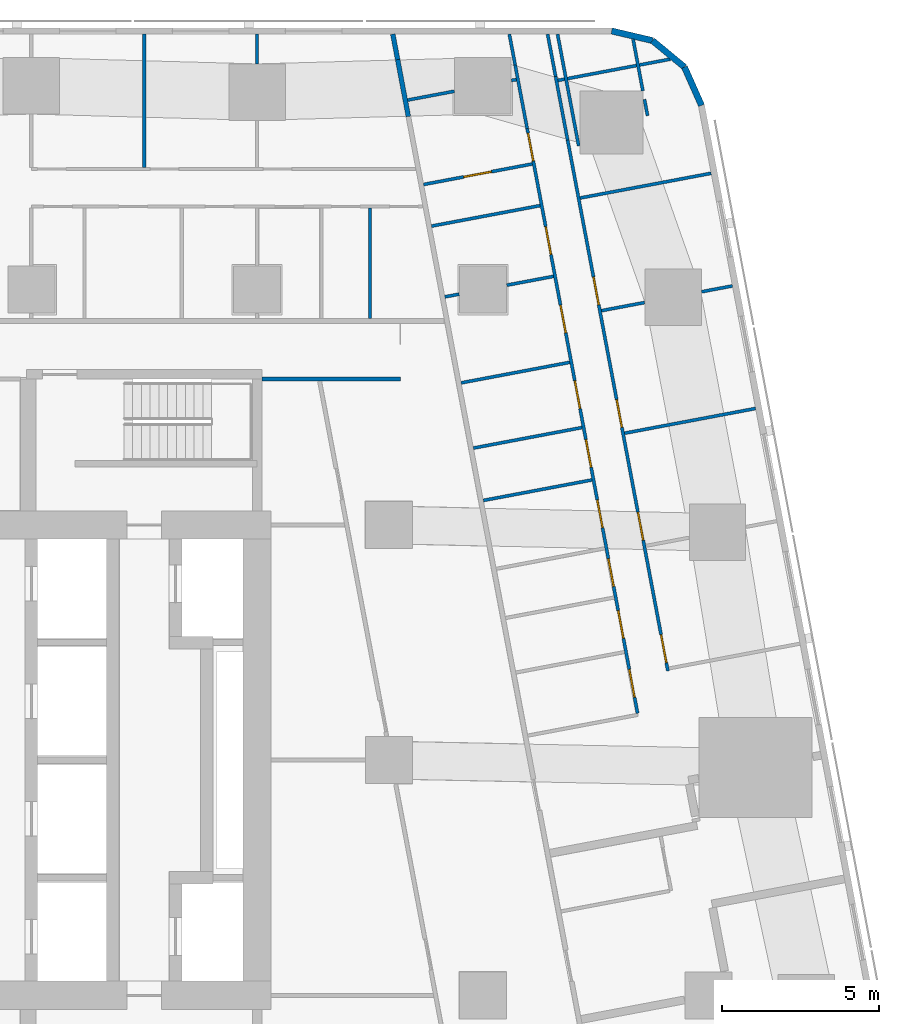
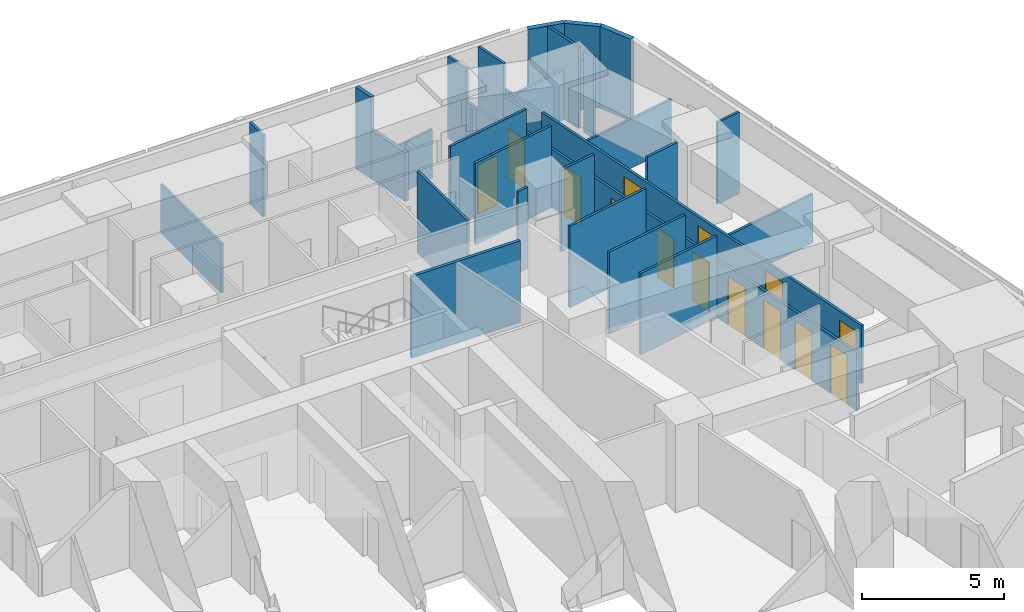
# One storey, part 11 of 15: 32 walls, 14 doors, 14 openings.
"""IFC4 building model written with IfcOpenShell, lengths in metres."""

from ifc_helpers import new_model, si_unit, direction, frame, frame_2d, origin, place, context, subcontext, project, spatial, rectangle, extrude, material, layer, layer_set, type_object, element, fill, save


model = new_model("IFC4")

# Units and contexts
model_context = context("Model", 3, precision=1e-05, world=origin(), true_north=direction((0.0, 1.0)))
body_context = subcontext(model_context, "Body", "Model", "MODEL_VIEW")
ifc_project = project(units=[si_unit("LENGTHUNIT", "METRE"), si_unit("AREAUNIT", "SQUARE_METRE"), si_unit("VOLUMEUNIT", "CUBIC_METRE"), si_unit("PLANEANGLEUNIT", "RADIAN"), si_unit("MASSUNIT", "GRAM", prefix="KILO")], contexts=[model_context])

# Site, building, storey
site_placement = place(None, origin())
site = spatial("IfcSite", under=ifc_project, at=site_placement, CompositionType="ELEMENT")
building_placement = place(site_placement, origin())
building = spatial("IfcBuilding", under=site, at=building_placement, Name="Sheger Commons Tower", CompositionType="ELEMENT")
storey_placement = place(building_placement, frame((0.0, 0.0, 165.800048828125)))
storey = spatial("IfcBuildingStorey", under=building, at=storey_placement, Name="L42", CompositionType="ELEMENT", Elevation=165.800048828125)

# Walls
ifc_material_1 = material(Name="Hollow concrete block masonry, skimmed both sides", Category="masonry")
ifc_layer_1 = layer(ifc_material_1, 0.14990234375)
ifc_layer_set_1 = layer_set([ifc_layer_1], Name="CORRIDOR WALL 150")
wall_type_1 = type_object("IfcWallType", Name="CORRIDOR WALL 150", PredefinedType="SOLIDWALL", material=ifc_layer_set_1)
wall_1_placement = place(storey_placement, frame((33.126953125, 45.64990234375, 0.0), z_axis=(0.0, 0.0, 1.0), x_axis=(0.186176514576, -0.982516313056, 0.0)))
element("IfcWall", 1, at=wall_1_placement, inside=storey, type_object=wall_type_1, Name="Corridor wall L42", PredefinedType="SOLIDWALL", context=body_context, shape_type="SweptSolid", body=[
    extrude(rectangle(XDim=0.827392578125, YDim=0.14990234375, at=frame_2d((0.41357421875, 0.0))), origin(), (0.0, 0.0, 1.0), 3.5),
])
wall_2_placement = place(storey_placement, frame((33.281005859375, 44.8369140625, 0.0), z_axis=(0.0, 0.0, 1.0), x_axis=(0.185198323004, -0.982701165745, 0.0)))
element("IfcWall", 2, at=wall_2_placement, inside=storey, type_object=wall_type_1, Name="Corridor wall L42", PredefinedType="SOLIDWALL", context=body_context, shape_type="SweptSolid", body=[
    extrude(rectangle(XDim=1.846923828125, YDim=0.14990234375, at=frame_2d((0.92333984375, 0.0))), origin(), (0.0, 0.0, 1.0), 2.099853515625),
])
ifc_material_2 = material(Name="Rendered concrete block masonry, dark grey", Category="masonry")
ifc_layer_2 = layer(ifc_material_2, 0.199951171875)
ifc_layer_set_2 = layer_set([ifc_layer_2], Name="FACADE WALL 200")
wall_type_2 = type_object("IfcWallType", Name="FACADE WALL 200", PredefinedType="SOLIDWALL", material=ifc_layer_set_2)
wall_3_placement = place(storey_placement, frame((42.969970703125, 43.376953125, 0.0), z_axis=(0.0, 0.0, 1.0), x_axis=(-0.406002956633, 0.913871762998, 0.0)))
element("IfcWall", 3, at=wall_3_placement, inside=storey, type_object=wall_type_2, Name="Facade wall L42", PredefinedType="SOLIDWALL", context=body_context, shape_type="SweptSolid", body=[
    extrude(rectangle(XDim=1.33740234375, YDim=0.199951171875, at=frame_2d((0.668701171875, 0.0))), origin(), (0.0, 0.0, 1.0), 3.5),
])
wall_4_placement = place(storey_placement, frame((42.427001953125, 44.59912109375, 0.0), z_axis=(0.0, 0.0, 1.0), x_axis=(-0.770091412544, 0.637933551655, 0.0)))
element("IfcWall", 4, at=wall_4_placement, inside=storey, type_object=wall_type_2, Name="Facade wall L42", PredefinedType="SOLIDWALL", context=body_context, shape_type="SweptSolid", body=[
    extrude(rectangle(XDim=1.324462890625, YDim=0.199951171875, at=frame_2d((0.662109375, 0.0))), origin(), (0.0, 0.0, 1.0), 3.5),
])
wall_5_placement = place(storey_placement, frame((41.406982421875, 45.444091796875, 0.0), z_axis=(0.0, 0.0, 1.0), x_axis=(-0.973453091607, 0.228886606077, 0.0)))
element("IfcWall", 5, at=wall_5_placement, inside=storey, type_object=wall_type_2, Name="Facade wall L42", PredefinedType="SOLIDWALL", context=body_context, shape_type="SweptSolid", body=[
    extrude(rectangle(XDim=1.33642578125, YDim=0.199951171875, at=frame_2d((0.668212890625, 0.0))), origin(), (0.0, 0.0, 1.0), 3.5),
])
ifc_material_3 = material(Name="Gypsum board on steel studs", Category="steel")
ifc_layer_3 = layer(ifc_material_3, 0.10009765625)
ifc_layer_set_3 = layer_set([ifc_layer_3], Name="PARTITION 100")
wall_type_3 = type_object("IfcWallType", Name="PARTITION 100", PredefinedType="PARTITIONING", material=ifc_layer_set_3)
wall_6_placement = place(storey_placement, frame((39.053955078125, 42.0849609375, 0.0), z_axis=(0.0, 0.0, 1.0), x_axis=(-0.185791584218, 0.982589175207, 0.0)))
element("IfcWall", 6, at=wall_6_placement, inside=storey, type_object=wall_type_3, Name="Partition L42", PredefinedType="PARTITIONING", context=body_context, shape_type="SweptSolid", body=[
    extrude(rectangle(XDim=3.628173828125, YDim=0.10009765625, at=frame_2d((1.81396484375, 0.0))), origin(), (0.0, 0.0, 1.0), 2.099853515625),
])
wall_7_placement = place(storey_placement, frame((40.7890625, 45.487060546875, 0.0), z_axis=(0.0, 0.0, 1.0), x_axis=(0.185572395193, -0.982630594955, 0.0)))
element("IfcWall", 7, at=wall_7_placement, inside=storey, type_object=wall_type_3, Name="Partition L42", PredefinedType="PARTITIONING", context=body_context, shape_type="SweptSolid", body=[
    extrude(rectangle(XDim=1.676025390625, YDim=0.10009765625, at=frame_2d((0.837890625, 0.0))), origin(), (0.0, 0.0, 1.0), 3.5),
])
wall_8_placement = place(storey_placement, frame((41.15087890625, 43.569091796875, 0.0), z_axis=(0.0, 0.0, 1.0), x_axis=(0.186563073924, -0.982442985342, 0.0)))
element("IfcWall", 8, at=wall_8_placement, inside=storey, type_object=wall_type_3, Name="Partition L42", PredefinedType="PARTITIONING", context=body_context, shape_type="SweptSolid", body=[
    extrude(rectangle(XDim=0.53125, YDim=0.10009765625, at=frame_2d((0.265625, 0.0))), origin(), (0.0, 0.0, 1.0), 3.5),
])
wall_9_placement = place(storey_placement, frame((38.06298828125, 45.64990234375, 0.0), z_axis=(0.0, 0.0, 1.0), x_axis=(0.185456359766, -0.982652501458, 0.0)))
element("IfcWall", 9, at=wall_9_placement, inside=storey, type_object=wall_type_3, Name="Partition L42", PredefinedType="PARTITIONING", context=body_context, shape_type="SweptSolid", body=[
    extrude(rectangle(XDim=1.375732421875, YDim=0.10009765625, at=frame_2d((0.68798828125, 0.0))), origin(), (0.0, 0.0, 1.0), 3.5),
])
wall_10_placement = place(storey_placement, frame((38.318115234375, 44.298095703125, 0.0), z_axis=(0.0, 0.0, 1.0), x_axis=(0.185481135188, -0.982647825261, 0.0)))
element("IfcWall", 10, at=wall_10_placement, inside=storey, type_object=wall_type_3, Name="Partition L42", PredefinedType="PARTITIONING", context=body_context, shape_type="SweptSolid", body=[
    extrude(rectangle(XDim=2.06396484375, YDim=0.10009765625, at=frame_2d((1.031982421875, 0.0))), origin(), (0.0, 0.0, 1.0), 2.099853515625),
])

# Wall, openings, doors
wall_11_placement = place(storey_placement, frame((38.700927734375, 42.27001953125, 0.0), z_axis=(0.0, 0.0, 1.0), x_axis=(0.185644634212, -0.982616949675, 0.0)))
wall_11 = element("IfcWall", 11, at=wall_11_placement, inside=storey, type_object=wall_type_3, Name="Partition L42", PredefinedType="PARTITIONING", context=body_context, shape_type="SweptSolid", body=[
    extrude(rectangle(XDim=17.2265625, YDim=0.10009765625, at=frame_2d((8.61328125, 0.0))), origin(), (0.0, 0.0, 1.0), 2.5),
])
opening_1_placement = place(wall_11_placement, frame((16.053955078125, 0.0, 0.0)))
opening_1 = element("IfcOpeningElement", 12, at=opening_1_placement, cuts=wall_11, Name="Opening D2", PredefinedType="OPENING", context=body_context, shape_type="SweptSolid", body=[
    extrude(rectangle(XDim=0.89990234375, YDim=2.10009765625, at=frame_2d((0.449951171875, 1.050048828125))), frame((0.0, 0.06005859375, 0.0), z_axis=(0.0, -1.0, 0.0), x_axis=(1.0, 0.0, 0.0)), (0.0, 0.0, 1.0), 0.1201171875),
])
opening_2_placement = place(wall_11_placement, frame((12.076904296875, 0.0, 0.0)))
opening_2 = element("IfcOpeningElement", 13, at=opening_2_placement, cuts=wall_11, Name="Opening D2", PredefinedType="OPENING", context=body_context, shape_type="SweptSolid", body=[
    extrude(rectangle(XDim=0.89990234375, YDim=2.10009765625, at=frame_2d((0.449951171875, 1.050048828125))), frame((0.0, 0.06005859375, 0.0), z_axis=(0.0, -1.0, 0.0), x_axis=(1.0, 0.0, 0.0)), (0.0, 0.0, 1.0), 0.1201171875),
])
opening_3_placement = place(wall_11_placement, frame((8.419921875, 0.0, 0.0)))
opening_3 = element("IfcOpeningElement", 14, at=opening_3_placement, cuts=wall_11, Name="Opening D2", PredefinedType="OPENING", context=body_context, shape_type="SweptSolid", body=[
    extrude(rectangle(XDim=0.89990234375, YDim=2.10009765625, at=frame_2d((0.449951171875, 1.050048828125))), frame((0.0, 0.06005859375, 0.0), z_axis=(0.0, -1.0, 0.0), x_axis=(1.0, 0.0, 0.0)), (0.0, 0.0, 1.0), 0.1201171875),
])
opening_4_placement = place(wall_11_placement, frame((4.444091796875, 0.0, 0.0)))
opening_4 = element("IfcOpeningElement", 15, at=opening_4_placement, cuts=wall_11, Name="Opening D2", PredefinedType="OPENING", context=body_context, shape_type="SweptSolid", body=[
    extrude(rectangle(XDim=0.89990234375, YDim=2.10009765625, at=frame_2d((0.449951171875, 1.050048828125))), frame((0.0, 0.06005859375, 0.0), z_axis=(0.0, -1.0, 0.0), x_axis=(1.0, 0.0, 0.0)), (0.0, 0.0, 1.0), 0.1201171875),
])
ifc_material_4 = material(Name="Timber door set", Category="wood")
door_type = type_object("IfcDoorType", Name="INTERNAL DOOR 900x2100", OperationType="NOTDEFINED", PredefinedType="DOOR", material=ifc_material_4)
door_1_placement = place(opening_1_placement, origin())
door_1 = element("IfcDoor", 16, at=door_1_placement, inside=storey, type_object=door_type, Name="Main bedroom door", OperationType="SINGLE_SWING_RIGHT", OverallHeight=2.10009765625, OverallWidth=0.89990234375, PredefinedType="DOOR", context=body_context, shape_type="SweptSolid", body=[
    extrude(rectangle(XDim=0.89990234375, YDim=2.10009765625, at=frame_2d((0.449951171875, 1.050048828125))), frame((0.0, 0.02490234375, 0.0), z_axis=(0.0, -1.0, 0.0), x_axis=(1.0, 0.0, 0.0)), (0.0, 0.0, 1.0), 0.050048828125),
])
fill(opening_1, door_1)
door_2_placement = place(opening_2_placement, origin())
door_2 = element("IfcDoor", 17, at=door_2_placement, inside=storey, type_object=door_type, Name="Bedroom 2 door", OperationType="SINGLE_SWING_RIGHT", OverallHeight=2.10009765625, OverallWidth=0.89990234375, PredefinedType="DOOR", context=body_context, shape_type="SweptSolid", body=[
    extrude(rectangle(XDim=0.89990234375, YDim=2.10009765625, at=frame_2d((0.449951171875, 1.050048828125))), frame((0.0, 0.02490234375, 0.0), z_axis=(0.0, -1.0, 0.0), x_axis=(1.0, 0.0, 0.0)), (0.0, 0.0, 1.0), 0.050048828125),
])
fill(opening_2, door_2)
door_3_placement = place(opening_3_placement, origin())
door_3 = element("IfcDoor", 18, at=door_3_placement, inside=storey, type_object=door_type, Name="Bedroom 3 door", OperationType="SINGLE_SWING_RIGHT", OverallHeight=2.10009765625, OverallWidth=0.89990234375, PredefinedType="DOOR", context=body_context, shape_type="SweptSolid", body=[
    extrude(rectangle(XDim=0.89990234375, YDim=2.10009765625, at=frame_2d((0.449951171875, 1.050048828125))), frame((0.0, 0.02490234375, 0.0), z_axis=(0.0, -1.0, 0.0), x_axis=(1.0, 0.0, 0.0)), (0.0, 0.0, 1.0), 0.050048828125),
])
fill(opening_3, door_3)
door_4_placement = place(opening_4_placement, origin())
door_4 = element("IfcDoor", 19, at=door_4_placement, inside=storey, type_object=door_type, Name="Bedroom 4 door", OperationType="SINGLE_SWING_RIGHT", OverallHeight=2.10009765625, OverallWidth=0.89990234375, PredefinedType="DOOR", context=body_context, shape_type="SweptSolid", body=[
    extrude(rectangle(XDim=0.89990234375, YDim=2.10009765625, at=frame_2d((0.449951171875, 1.050048828125))), frame((0.0, 0.02490234375, 0.0), z_axis=(0.0, -1.0, 0.0), x_axis=(1.0, 0.0, 0.0)), (0.0, 0.0, 1.0), 0.050048828125),
])
fill(opening_4, door_4)

# Walls
wall_12_placement = place(storey_placement, frame((36.842041015625, 45.64990234375, 0.0), z_axis=(0.0, 0.0, 1.0), x_axis=(0.185789875365, -0.982589498322, 0.0)))
element("IfcWall", 20, at=wall_12_placement, inside=storey, type_object=wall_type_3, Name="Partition L42", PredefinedType="PARTITIONING", context=body_context, shape_type="SweptSolid", body=[
    extrude(rectangle(XDim=1.001220703125, YDim=0.10009765625, at=frame_2d((0.50048828125, 0.0))), origin(), (0.0, 0.0, 1.0), 3.5),
])
wall_13_placement = place(storey_placement, frame((37.028076171875, 44.666015625, 0.0), z_axis=(0.0, 0.0, 1.0), x_axis=(0.185481135188, -0.982647825261, 0.0)))
element("IfcWall", 21, at=wall_13_placement, inside=storey, type_object=wall_type_3, Name="Partition L42", PredefinedType="PARTITIONING", context=body_context, shape_type="SweptSolid", body=[
    extrude(rectangle(XDim=2.06396484375, YDim=0.10009765625, at=frame_2d((1.031982421875, 0.0))), origin(), (0.0, 0.0, 1.0), 2.099853515625),
])

# Wall, openings, doors
wall_14_placement = place(storey_placement, frame((37.410888671875, 42.637939453125, 0.0), z_axis=(0.0, 0.0, 1.0), x_axis=(0.185554598549, -0.982633955732, 0.0)))
wall_14 = element("IfcWall", 22, at=wall_14_placement, inside=storey, type_object=wall_type_3, Name="Partition L42", PredefinedType="PARTITIONING", context=body_context, shape_type="SweptSolid", body=[
    extrude(rectangle(XDim=18.9755859375, YDim=0.10009765625, at=frame_2d((9.48779296875, 0.0))), origin(), (0.0, 0.0, 1.0), 2.5),
])
opening_5_placement = place(wall_14_placement, frame((17.551025390625, 0.0, 0.0)))
opening_5 = element("IfcOpeningElement", 23, at=opening_5_placement, cuts=wall_14, Name="Opening D2", PredefinedType="OPENING", context=body_context, shape_type="SweptSolid", body=[
    extrude(rectangle(XDim=0.89990234375, YDim=2.10009765625, at=frame_2d((0.449951171875, 1.050048828125))), frame((0.0, 0.06005859375, 0.0), z_axis=(0.0, -1.0, 0.0), x_axis=(1.0, 0.0, 0.0)), (0.0, 0.0, 1.0), 0.1201171875),
])
opening_6_placement = place(wall_14_placement, frame((13.958984375, 0.0, 0.0)))
opening_6 = element("IfcOpeningElement", 24, at=opening_6_placement, cuts=wall_14, Name="Opening D2", PredefinedType="OPENING", context=body_context, shape_type="SweptSolid", body=[
    extrude(rectangle(XDim=0.89990234375, YDim=2.10009765625, at=frame_2d((0.449951171875, 1.050048828125))), frame((0.0, 0.06005859375, 0.0), z_axis=(0.0, -1.0, 0.0), x_axis=(1.0, 0.0, 0.0)), (0.0, 0.0, 1.0), 0.1201171875),
])
opening_7_placement = place(wall_14_placement, frame((10.092041015625, 0.0, 0.0)))
opening_7 = element("IfcOpeningElement", 25, at=opening_7_placement, cuts=wall_14, Name="Opening D2", PredefinedType="OPENING", context=body_context, shape_type="SweptSolid", body=[
    extrude(rectangle(XDim=0.89990234375, YDim=2.10009765625, at=frame_2d((0.449951171875, 1.050048828125))), frame((0.0, 0.06005859375, 0.0), z_axis=(0.0, -1.0, 0.0), x_axis=(1.0, 0.0, 0.0)), (0.0, 0.0, 1.0), 0.1201171875),
])
opening_8_placement = place(wall_14_placement, frame((5.73095703125, 0.0, 0.0)))
opening_8 = element("IfcOpeningElement", 26, at=opening_8_placement, cuts=wall_14, Name="Opening D2", PredefinedType="OPENING", context=body_context, shape_type="SweptSolid", body=[
    extrude(rectangle(XDim=0.89990234375, YDim=2.10009765625, at=frame_2d((0.449951171875, 1.050048828125))), frame((0.0, 0.06005859375, 0.0), z_axis=(0.0, -1.0, 0.0), x_axis=(1.0, 0.0, 0.0)), (0.0, 0.0, 1.0), 0.1201171875),
])
opening_9_placement = place(wall_14_placement, frame((3.18798828125, 0.0, 0.0)))
opening_9 = element("IfcOpeningElement", 27, at=opening_9_placement, cuts=wall_14, Name="Opening D2", PredefinedType="OPENING", context=body_context, shape_type="SweptSolid", body=[
    extrude(rectangle(XDim=0.89990234375, YDim=2.10009765625, at=frame_2d((0.449951171875, 1.050048828125))), frame((0.0, 0.06005859375, 0.0), z_axis=(0.0, -1.0, 0.0), x_axis=(1.0, 0.0, 0.0)), (0.0, 0.0, 1.0), 0.1201171875),
])
opening_10_placement = place(wall_14_placement, frame((0.14990234375, 0.0, 0.0)))
opening_10 = element("IfcOpeningElement", 28, at=opening_10_placement, cuts=wall_14, Name="Opening D2", PredefinedType="OPENING", context=body_context, shape_type="SweptSolid", body=[
    extrude(rectangle(XDim=0.89990234375, YDim=2.10009765625, at=frame_2d((0.449951171875, 1.050048828125))), frame((0.0, 0.06005859375, 0.0), z_axis=(0.0, -1.0, 0.0), x_axis=(1.0, 0.0, 0.0)), (0.0, 0.0, 1.0), 0.1201171875),
])
opening_11_placement = place(wall_14_placement, frame((15.64208984375, 0.0, 0.0)))
opening_11 = element("IfcOpeningElement", 29, at=opening_11_placement, cuts=wall_14, Name="Opening D2", PredefinedType="OPENING", context=body_context, shape_type="SweptSolid", body=[
    extrude(rectangle(XDim=0.89990234375, YDim=2.10009765625, at=frame_2d((0.449951171875, 1.050048828125))), frame((0.0, 0.06005859375, 0.0), z_axis=(0.0, -1.0, 0.0), x_axis=(1.0, 0.0, 0.0)), (0.0, 0.0, 1.0), 0.1201171875),
])
opening_12_placement = place(wall_14_placement, frame((12.051025390625, 0.0, 0.0)))
opening_12 = element("IfcOpeningElement", 30, at=opening_12_placement, cuts=wall_14, Name="Opening D2", PredefinedType="OPENING", context=body_context, shape_type="SweptSolid", body=[
    extrude(rectangle(XDim=0.89990234375, YDim=2.10009765625, at=frame_2d((0.449951171875, 1.050048828125))), frame((0.0, 0.06005859375, 0.0), z_axis=(0.0, -1.0, 0.0), x_axis=(1.0, 0.0, 0.0)), (0.0, 0.0, 1.0), 0.1201171875),
])
opening_13_placement = place(wall_14_placement, frame((8.18505859375, 0.0, 0.0)))
opening_13 = element("IfcOpeningElement", 31, at=opening_13_placement, cuts=wall_14, Name="Opening D2", PredefinedType="OPENING", context=body_context, shape_type="SweptSolid", body=[
    extrude(rectangle(XDim=0.89990234375, YDim=2.10009765625, at=frame_2d((0.449951171875, 1.050048828125))), frame((0.0, 0.06005859375, 0.0), z_axis=(0.0, -1.0, 0.0), x_axis=(1.0, 0.0, 0.0)), (0.0, 0.0, 1.0), 0.1201171875),
])
door_5_placement = place(opening_5_placement, origin())
door_5 = element("IfcDoor", 32, at=door_5_placement, inside=storey, type_object=door_type, Name="Bathroom door", OperationType="SINGLE_SWING_LEFT", OverallHeight=2.10009765625, OverallWidth=0.89990234375, PredefinedType="DOOR", context=body_context, shape_type="SweptSolid", body=[
    extrude(rectangle(XDim=0.89990234375, YDim=2.10009765625, at=frame_2d((0.449951171875, 1.050048828125))), frame((0.0, 0.02490234375, 0.0), z_axis=(0.0, -1.0, 0.0), x_axis=(1.0, 0.0, 0.0)), (0.0, 0.0, 1.0), 0.050048828125),
])
fill(opening_5, door_5)
door_6_placement = place(opening_6_placement, origin())
door_6 = element("IfcDoor", 33, at=door_6_placement, inside=storey, type_object=door_type, Name="Shower room door", OperationType="SINGLE_SWING_RIGHT", OverallHeight=2.10009765625, OverallWidth=0.89990234375, PredefinedType="DOOR", context=body_context, shape_type="SweptSolid", body=[
    extrude(rectangle(XDim=0.89990234375, YDim=2.10009765625, at=frame_2d((0.449951171875, 1.050048828125))), frame((0.0, 0.02490234375, 0.0), z_axis=(0.0, -1.0, 0.0), x_axis=(1.0, 0.0, 0.0)), (0.0, 0.0, 1.0), 0.050048828125),
])
fill(opening_6, door_6)
door_7_placement = place(opening_7_placement, origin())
door_7 = element("IfcDoor", 34, at=door_7_placement, inside=storey, type_object=door_type, Name="Laundry room door", OperationType="SINGLE_SWING_RIGHT", OverallHeight=2.10009765625, OverallWidth=0.89990234375, PredefinedType="DOOR", context=body_context, shape_type="SweptSolid", body=[
    extrude(rectangle(XDim=0.89990234375, YDim=2.10009765625, at=frame_2d((0.449951171875, 1.050048828125))), frame((0.0, 0.02490234375, 0.0), z_axis=(0.0, -1.0, 0.0), x_axis=(1.0, 0.0, 0.0)), (0.0, 0.0, 1.0), 0.050048828125),
])
fill(opening_7, door_7)
door_8_placement = place(opening_8_placement, origin())
door_8 = element("IfcDoor", 35, at=door_8_placement, inside=storey, type_object=door_type, Name="Store and laundry door", OperationType="SINGLE_SWING_LEFT", OverallHeight=2.10009765625, OverallWidth=0.89990234375, PredefinedType="DOOR", context=body_context, shape_type="SweptSolid", body=[
    extrude(rectangle(XDim=0.89990234375, YDim=2.10009765625, at=frame_2d((0.449951171875, 1.050048828125))), frame((0.0, 0.02490234375, 0.0), z_axis=(0.0, -1.0, 0.0), x_axis=(1.0, 0.0, 0.0)), (0.0, 0.0, 1.0), 0.050048828125),
])
fill(opening_8, door_8)
door_9_placement = place(opening_9_placement, origin())
door_9 = element("IfcDoor", 36, at=door_9_placement, inside=storey, type_object=door_type, Name="Store and laundry door", OperationType="SINGLE_SWING_LEFT", OverallHeight=2.10009765625, OverallWidth=0.89990234375, PredefinedType="DOOR", context=body_context, shape_type="SweptSolid", body=[
    extrude(rectangle(XDim=0.89990234375, YDim=2.10009765625, at=frame_2d((0.449951171875, 1.050048828125))), frame((0.0, 0.02490234375, 0.0), z_axis=(0.0, -1.0, 0.0), x_axis=(1.0, 0.0, 0.0)), (0.0, 0.0, 1.0), 0.050048828125),
])
fill(opening_9, door_9)
door_10_placement = place(opening_10_placement, origin())
door_10 = element("IfcDoor", 37, at=door_10_placement, inside=storey, type_object=door_type, Name="Store and laundry door", OperationType="SINGLE_SWING_RIGHT", OverallHeight=2.10009765625, OverallWidth=0.89990234375, PredefinedType="DOOR", context=body_context, shape_type="SweptSolid", body=[
    extrude(rectangle(XDim=0.89990234375, YDim=2.10009765625, at=frame_2d((0.449951171875, 1.050048828125))), frame((0.0, 0.02490234375, 0.0), z_axis=(0.0, -1.0, 0.0), x_axis=(1.0, 0.0, 0.0)), (0.0, 0.0, 1.0), 0.050048828125),
])
fill(opening_10, door_10)
door_11_placement = place(opening_11_placement, origin())
door_11 = element("IfcDoor", 38, at=door_11_placement, inside=storey, type_object=door_type, Name="Store door", OperationType="SINGLE_SWING_LEFT", OverallHeight=2.10009765625, OverallWidth=0.89990234375, PredefinedType="DOOR", context=body_context, shape_type="SweptSolid", body=[
    extrude(rectangle(XDim=0.89990234375, YDim=2.10009765625, at=frame_2d((0.449951171875, 1.050048828125))), frame((0.0, 0.02490234375, 0.0), z_axis=(0.0, -1.0, 0.0), x_axis=(1.0, 0.0, 0.0)), (0.0, 0.0, 1.0), 0.050048828125),
])
fill(opening_11, door_11)
door_12_placement = place(opening_12_placement, origin())
door_12 = element("IfcDoor", 39, at=door_12_placement, inside=storey, type_object=door_type, Name="Store door", OperationType="SINGLE_SWING_RIGHT", OverallHeight=2.10009765625, OverallWidth=0.89990234375, PredefinedType="DOOR", context=body_context, shape_type="SweptSolid", body=[
    extrude(rectangle(XDim=0.89990234375, YDim=2.10009765625, at=frame_2d((0.449951171875, 1.050048828125))), frame((0.0, 0.02490234375, 0.0), z_axis=(0.0, -1.0, 0.0), x_axis=(1.0, 0.0, 0.0)), (0.0, 0.0, 1.0), 0.050048828125),
])
fill(opening_12, door_12)
door_13_placement = place(opening_13_placement, origin())
door_13 = element("IfcDoor", 40, at=door_13_placement, inside=storey, type_object=door_type, Name="Store door", OperationType="SINGLE_SWING_RIGHT", OverallHeight=2.10009765625, OverallWidth=0.89990234375, PredefinedType="DOOR", context=body_context, shape_type="SweptSolid", body=[
    extrude(rectangle(XDim=0.89990234375, YDim=2.10009765625, at=frame_2d((0.449951171875, 1.050048828125))), frame((0.0, 0.02490234375, 0.0), z_axis=(0.0, -1.0, 0.0), x_axis=(1.0, 0.0, 0.0)), (0.0, 0.0, 1.0), 0.050048828125),
])
fill(opening_13, door_13)

# Walls
wall_15_placement = place(storey_placement, frame((41.968017578125, 44.85009765625, 0.0), z_axis=(0.0, 0.0, 1.0), x_axis=(-0.98258614234, -0.185807623311, 0.0)))
element("IfcWall", 41, at=wall_15_placement, inside=storey, type_object=wall_type_3, Name="Partition L42", PredefinedType="PARTITIONING", context=body_context, shape_type="SweptSolid", body=[
    extrude(rectangle(XDim=3.638427734375, YDim=0.10009765625, at=frame_2d((1.8193359375, 0.0))), origin(), (0.0, 0.0, 1.0), 2.099853515625),
])
wall_16_placement = place(storey_placement, frame((43.277099609375, 41.2119140625, 0.0), z_axis=(0.0, 0.0, 1.0), x_axis=(-0.982665405803, -0.185387972203, 0.0)))
element("IfcWall", 42, at=wall_16_placement, inside=storey, type_object=wall_type_3, Name="Partition L42", PredefinedType="PARTITIONING", context=body_context, shape_type="SweptSolid", body=[
    extrude(rectangle(XDim=4.249755859375, YDim=0.10009765625, at=frame_2d((2.125, 0.0))), origin(), (0.0, 0.0, 1.0), 2.099853515625),
])
wall_17_placement = place(storey_placement, frame((43.955078125, 37.6201171875, 0.0), z_axis=(0.0, 0.0, 1.0), x_axis=(-0.982666697719, -0.185381124159, 0.0)))
element("IfcWall", 43, at=wall_17_placement, inside=storey, type_object=wall_type_3, Name="Partition L42", PredefinedType="PARTITIONING", context=body_context, shape_type="SweptSolid", body=[
    extrude(rectangle(XDim=0.998291015625, YDim=0.10009765625, at=frame_2d((0.4990234375, 0.0))), origin(), (0.0, 0.0, 1.0), 3.5),
])
wall_18_placement = place(storey_placement, frame((41.154052734375, 37.091064453125, 0.0), z_axis=(0.0, 0.0, 1.0), x_axis=(-0.982562488259, -0.185932667021, 0.0)))
element("IfcWall", 44, at=wall_18_placement, inside=storey, type_object=wall_type_3, Name="Partition L42", PredefinedType="PARTITIONING", context=body_context, shape_type="SweptSolid", body=[
    extrude(rectangle(XDim=1.3984375, YDim=0.10009765625, at=frame_2d((0.69921875, 0.0))), origin(), (0.0, 0.0, 1.0), 3.5),
])
wall_19_placement = place(storey_placement, frame((44.693115234375, 33.712890625, 0.0), z_axis=(0.0, 0.0, 1.0), x_axis=(-0.982615600536, -0.185651775062, 0.0)))
element("IfcWall", 45, at=wall_19_placement, inside=storey, type_object=wall_type_3, Name="Partition L42", PredefinedType="PARTITIONING", context=body_context, shape_type="SweptSolid", body=[
    extrude(rectangle(XDim=4.2490234375, YDim=0.10009765625, at=frame_2d((2.12451171875, 0.0))), origin(), (0.0, 0.0, 1.0), 2.099853515625),
])
wall_20_placement = place(storey_placement, frame((37.06494140625, 44.200927734375, 0.0), z_axis=(0.0, 0.0, 1.0), x_axis=(-0.983168876381, -0.182699098288, 0.0)))
element("IfcWall", 46, at=wall_20_placement, inside=storey, type_object=wall_type_3, Name="Partition L42", PredefinedType="PARTITIONING", context=body_context, shape_type="SweptSolid", body=[
    extrude(rectangle(XDim=0.15771484375, YDim=0.10009765625, at=frame_2d((0.078857421875, 0.0))), origin(), (0.0, 0.0, 1.0), 2.099853515625),
])
wall_21_placement = place(storey_placement, frame((35.090087890625, 43.827880859375, 0.0), z_axis=(0.0, 0.0, 1.0), x_axis=(-0.982683801717, -0.185290436461, 0.0)))
element("IfcWall", 47, at=wall_21_placement, inside=storey, type_object=wall_type_3, Name="Partition L42", PredefinedType="PARTITIONING", context=body_context, shape_type="SweptSolid", body=[
    extrude(rectangle(XDim=1.51513671875, YDim=0.10009765625, at=frame_2d((0.757568359375, 0.0))), origin(), (0.0, 0.0, 1.0), 2.099853515625),
])
wall_22_placement = place(storey_placement, frame((37.823974609375, 40.181884765625, 0.0), z_axis=(0.0, 0.0, 1.0), x_axis=(-0.982648794755, -0.185475998897, 0.0)))
element("IfcWall", 48, at=wall_22_placement, inside=storey, type_object=wall_type_3, Name="Partition L42", PredefinedType="PARTITIONING", context=body_context, shape_type="SweptSolid", body=[
    extrude(rectangle(XDim=3.525146484375, YDim=0.10009765625, at=frame_2d((1.7626953125, 0.0))), origin(), (0.0, 0.0, 1.0), 3.5),
])
wall_23_placement = place(storey_placement, frame((38.25, 37.925048828125, 0.0), z_axis=(0.0, 0.0, 1.0), x_axis=(-0.982676595259, -0.18532865167, 0.0)))
element("IfcWall", 49, at=wall_23_placement, inside=storey, type_object=wall_type_3, Name="Partition L42", PredefinedType="PARTITIONING", context=body_context, shape_type="SweptSolid", body=[
    extrude(rectangle(XDim=1.516357421875, YDim=0.10009765625, at=frame_2d((0.75830078125, 0.0))), origin(), (0.0, 0.0, 1.0), 3.5),
])
wall_24_placement = place(storey_placement, frame((35.239990234375, 37.35693359375, 0.0), z_axis=(0.0, 0.0, 1.0), x_axis=(-0.982559813104, -0.18594680334, 0.0)))
element("IfcWall", 50, at=wall_24_placement, inside=storey, type_object=wall_type_3, Name="Partition L42", PredefinedType="PARTITIONING", context=body_context, shape_type="SweptSolid", body=[
    extrude(rectangle(XDim=0.462158203125, YDim=0.10009765625, at=frame_2d((0.23095703125, 0.0))), origin(), (0.0, 0.0, 1.0), 3.5),
])
for number, where, z_axis, x_axis, name in (
    (51, (39.47607421875, 31.43408203125, 0.0), (0.0, 0.0, 1.0), (-0.982638553676, -0.185530247748, 0.0), "Partition L42"),
    (52, (38.76806640625, 35.18408203125, 0.0), (0.0, 0.0, 1.0), (-0.982588017646, -0.185797706064, 0.0), "Partition L42"),
):
    element("IfcWall", number, at=place(storey_placement, frame(where, z_axis=z_axis, x_axis=x_axis)), inside=storey, type_object=wall_type_3, Name=name, PredefinedType="PARTITIONING", context=body_context, shape_type="SweptSolid", body=[
        extrude(rectangle(XDim=3.525390625, YDim=0.10009765625, at=frame_2d((1.7626953125, 0.0))), origin(), (0.0, 0.0, 1.0), 3.5),
    ])
wall_25_placement = place(storey_placement, frame((39.159912109375, 33.10498046875, 0.0), z_axis=(0.0, 0.0, 1.0), x_axis=(-0.982585626838, -0.185810349366, 0.0)))
element("IfcWall", 53, at=wall_25_placement, inside=storey, type_object=wall_type_3, Name="Partition L42", PredefinedType="PARTITIONING", context=body_context, shape_type="SweptSolid", body=[
    extrude(rectangle(XDim=3.525146484375, YDim=0.10009765625, at=frame_2d((1.7626953125, 0.0))), origin(), (0.0, 0.0, 1.0), 3.5),
])
wall_26_placement = place(storey_placement, frame((25.199951171875, 41.39990234375, 0.0), z_axis=(0.0, 0.0, 1.0), x_axis=(0.0, 1.0, 0.0)))
element("IfcWall", 54, at=wall_26_placement, inside=storey, type_object=wall_type_3, Name="Partition L42", PredefinedType="PARTITIONING", context=body_context, shape_type="SweptSolid", body=[
    extrude(rectangle(XDim=4.25, YDim=0.10009765625, at=frame_2d((2.125, 0.0))), origin(), (0.0, 0.0, 1.0), 2.099853515625),
])
wall_27_placement = place(storey_placement, frame((28.800048828125, 44.700927734375, 0.0), z_axis=(0.0, 0.0, 1.0), x_axis=(0.0, 1.0, 0.0)))
element("IfcWall", 55, at=wall_27_placement, inside=storey, type_object=wall_type_3, Name="Partition L42", PredefinedType="PARTITIONING", context=body_context, shape_type="SweptSolid", body=[
    extrude(rectangle(XDim=0.948974609375, YDim=0.10009765625, at=frame_2d((0.474609375, 0.0))), origin(), (0.0, 0.0, 1.0), 3.5),
])
wall_28_placement = place(storey_placement, frame((32.39990234375, 36.574951171875, 0.0), z_axis=(0.0, 0.0, 1.0), x_axis=(0.0, 1.0, 0.0)))
element("IfcWall", 56, at=wall_28_placement, inside=storey, type_object=wall_type_3, Name="Partition L42", PredefinedType="PARTITIONING", context=body_context, shape_type="SweptSolid", body=[
    extrude(rectangle(XDim=3.525146484375, YDim=0.10009765625, at=frame_2d((1.7626953125, 0.0))), origin(), (0.0, 0.0, 1.0), 3.5),
])

# Wall, opening, door
wall_29_placement = place(storey_placement, frame((37.572998046875, 41.509033203125, 0.0), z_axis=(0.0, 0.0, 1.0), x_axis=(-0.982638553676, -0.185530247748, 0.0)))
wall_29 = element("IfcWall", 57, at=wall_29_placement, inside=storey, type_object=wall_type_3, Name="Partition L42", PredefinedType="PARTITIONING", context=body_context, shape_type="SweptSolid", body=[
    extrude(rectangle(XDim=3.525390625, YDim=0.10009765625, at=frame_2d((1.7626953125, 0.0))), origin(), (0.0, 0.0, 1.0), 3.5),
])
opening_14_placement = place(wall_29_placement, frame((1.324951171875, 0.0, 0.0)))
opening_14 = element("IfcOpeningElement", 58, at=opening_14_placement, cuts=wall_29, Name="Opening D2", PredefinedType="OPENING", context=body_context, shape_type="SweptSolid", body=[
    extrude(rectangle(XDim=0.89990234375, YDim=2.10009765625, at=frame_2d((0.449951171875, 1.050048828125))), frame((0.0, 0.06005859375, 0.0), z_axis=(0.0, -1.0, 0.0), x_axis=(1.0, 0.0, 0.0)), (0.0, 0.0, 1.0), 0.1201171875),
])
door_14_placement = place(opening_14_placement, origin())
door_14 = element("IfcDoor", 59, at=door_14_placement, inside=storey, type_object=door_type, Name="Store door", OperationType="SINGLE_SWING_RIGHT", OverallHeight=2.10009765625, OverallWidth=0.89990234375, PredefinedType="DOOR", context=body_context, shape_type="SweptSolid", body=[
    extrude(rectangle(XDim=0.89990234375, YDim=2.10009765625, at=frame_2d((0.449951171875, 1.050048828125))), frame((0.0, 0.02490234375, 0.0), z_axis=(0.0, -1.0, 0.0), x_axis=(1.0, 0.0, 0.0)), (0.0, 0.0, 1.0), 0.050048828125),
])
fill(opening_14, door_14)

# Wall
ifc_material_5 = material(Name="Gypsum board on steel studs, two layers each side, fire rated", Category="steel")
ifc_layer_4 = layer(ifc_material_5, 0.125)
ifc_layer_set_4 = layer_set([ifc_layer_4], Name="SERVICE WALL 125")
wall_type_4 = type_object("IfcWallType", Name="SERVICE WALL 125", PredefinedType="PARTITIONING", material=ifc_layer_set_4)
wall_30_placement = place(storey_placement, frame((28.949951171875, 34.64990234375, 0.0), z_axis=(0.0, 0.0, 1.0), x_axis=(1.0, 0.0, 0.0)))
element("IfcWall", 60, at=wall_30_placement, inside=storey, type_object=wall_type_4, Name="Service room wall L42", PredefinedType="PARTITIONING", context=body_context, shape_type="SweptSolid", body=[
    extrude(rectangle(XDim=4.423095703125, YDim=0.125, at=frame_2d((2.21142578125, 0.0))), origin(), (0.0, 0.0, 1.0), 3.5),
])

save(model, "model.ifc")
